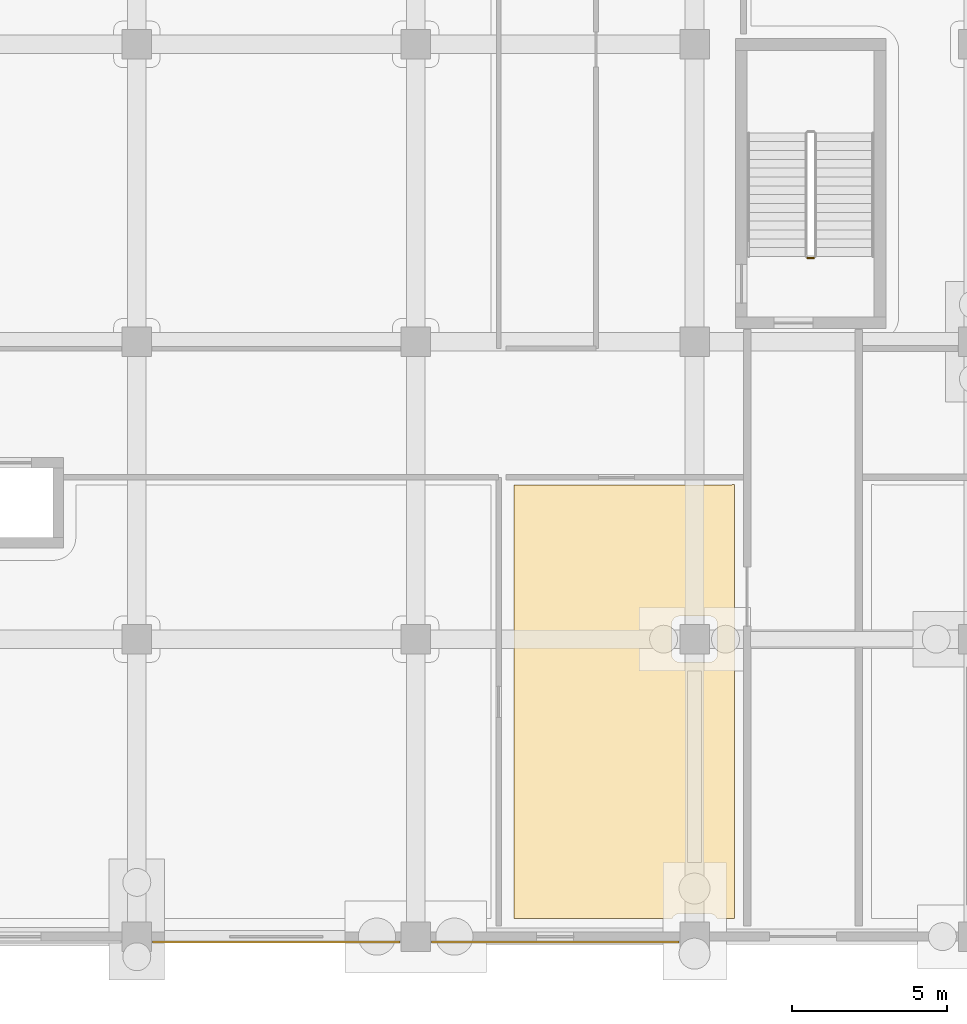
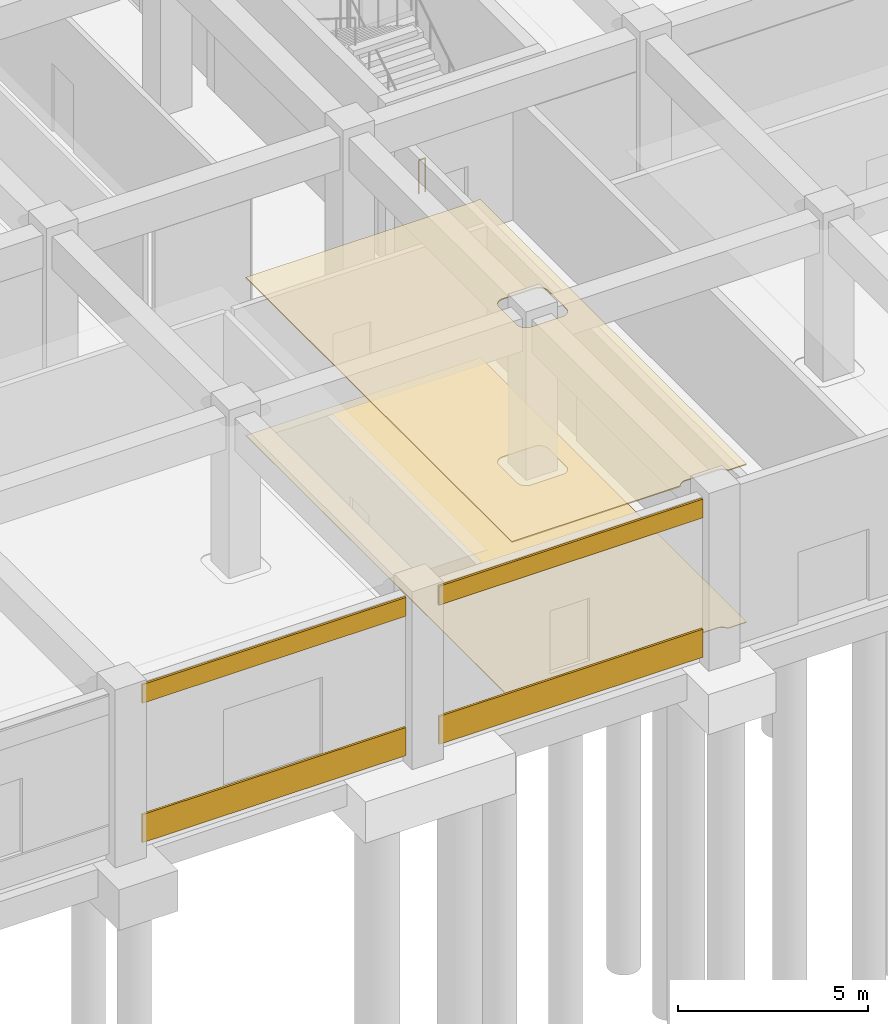
# One storey, part 58 of 74: 6 coverings, 1 railing.
"""IFC4 building model written with IfcOpenShell, lengths in metres."""

import ifcopenshell
import ifcopenshell.guid

model = None  # the IFC model being written
_history = None  # IfcOwnerHistory: only IFC2X3 demands one
_inside = {}  # id of a spatial element -> (the spatial element, [elements in it])
_under = {}  # id of a project, library or spatial element -> (it, [spatial elements below it])
_declared = {}  # id of a project -> (the project, [libraries it declares])
_typed = {}  # id of a type object -> (the type object, [elements of that type])
_made_of = {}  # id of a material, layer set ... -> (it, [elements and type objects made of it])


def new_model(schema):
    """Start an empty IFC model of exactly this schema.

    Asked for "IFC4X3", IfcOpenShell would pick the latest addendum, in which some entities
    have other attributes; the version numbers below select the first issue.
    IFC2X3 requires an IfcOwnerHistory on every rooted entity: one is made here for all.
    """
    global model, _history
    if schema == "IFC4X3":
        model = ifcopenshell.file(schema_version=(4, 3, 0, 0))
    else:
        model = ifcopenshell.file(schema=schema)
    _inside.clear()
    _under.clear()
    _declared.clear()
    _typed.clear()
    _made_of.clear()
    _history = None
    if model.schema == "IFC2X3":
        org = make("IfcOrganization", Name="unknown")
        user = make(
            "IfcPersonAndOrganization",
            ThePerson=make("IfcPerson", FamilyName="unknown"),
            TheOrganization=org,
        )
        app = make(
            "IfcApplication",
            ApplicationDeveloper=org,
            Version="unknown",
            ApplicationFullName="unknown",
            ApplicationIdentifier="unknown",
        )
        _history = make(
            "IfcOwnerHistory",
            OwningUser=user,
            OwningApplication=app,
            ChangeAction="ADDED",
            CreationDate=0,
        )
    return model


def make(cls, **values):
    """One entity of the class cls with the attributes given. An attribute that is None is left unset."""
    return model.create_entity(
        cls, **{name: value for name, value in values.items() if value is not None}
    )


def rooted(cls, **values):
    """An entity with a GlobalId (a new one), such as an element, a storey or a relation."""
    return make(cls, GlobalId=ifcopenshell.guid.new(), OwnerHistory=_history, **values)


def si_unit(unit_type, name, prefix=None):
    """IfcSIUnit, for example si_unit("LENGTHUNIT", "METRE", prefix="MILLI")."""
    return make("IfcSIUnit", UnitType=unit_type, Prefix=prefix, Name=name)


def assignment(units):
    """IfcUnitAssignment: the units of a project."""
    return None if units is None else make("IfcUnitAssignment", Units=units)


def point(xyz):
    """IfcCartesianPoint."""
    return None if xyz is None else make("IfcCartesianPoint", Coordinates=xyz)


def direction(xyz):
    """IfcDirection."""
    return None if xyz is None else make("IfcDirection", DirectionRatios=xyz)


def frame(location, z_axis=None, x_axis=None):
    """IfcAxis2Placement3D, a coordinate frame: its origin and axes. An axis left out is left unset."""
    return make(
        "IfcAxis2Placement3D",
        Location=point(location),
        Axis=direction(z_axis),
        RefDirection=direction(x_axis),
    )


def frame_2d(location, x_axis=None):
    """IfcAxis2Placement2D, a coordinate frame in the plane: its origin and x axis."""
    return make(
        "IfcAxis2Placement2D", Location=point(location), RefDirection=direction(x_axis)
    )


def origin():
    """The frame at (0, 0, 0) with its axes left unset."""
    return frame((0.0, 0.0, 0.0))


def origin_2d():
    """The frame at (0, 0) in the plane with its x axis left unset."""
    return frame_2d((0.0, 0.0))


def place(relative_to, where):
    """IfcLocalPlacement: puts the frame where relative to a parent placement (None: the world)."""
    return make(
        "IfcLocalPlacement", PlacementRelTo=relative_to, RelativePlacement=where
    )


def context(
    kind, dimensions, precision=None, world=None, true_north=None, identifier=None
):
    """IfcGeometricRepresentationContext, for example the 3D "Model" context."""
    return make(
        "IfcGeometricRepresentationContext",
        ContextIdentifier=identifier,
        ContextType=kind,
        CoordinateSpaceDimension=dimensions,
        Precision=precision,
        WorldCoordinateSystem=world,
        TrueNorth=true_north,
    )


def subcontext(parent, identifier, kind, view, scale=None):
    """IfcGeometricRepresentationSubContext, for example "Body" below "Model"."""
    return make(
        "IfcGeometricRepresentationSubContext",
        ContextIdentifier=identifier,
        ContextType=kind,
        ParentContext=parent,
        TargetScale=scale,
        TargetView=view,
    )


def project(units=None, contexts=None):
    """IfcProject with its units and contexts."""
    return rooted(
        "IfcProject",
        Name="project",
        RepresentationContexts=contexts,
        UnitsInContext=assignment(units),
    )


def spatial(cls, under=None, at=None, **own):
    """A site, building, storey or space (cls), placed at a placement, below another one or the project."""
    s = rooted(cls, ObjectPlacement=at, **own)
    if under is not None:
        _under.setdefault(under.id(), (under, []))[1].append(s)
    return s


def polyline(points):
    """IfcPolyline through the points."""
    return make("IfcPolyline", Points=[point(p) for p in points])


def profile(cls, at=None, kind="AREA", **sizes):
    """A parametric profile (cls). Its sizes go by their IFC names, for example OverallWidth=200.0."""
    return make(cls, ProfileType=kind, Position=at, **sizes)


def rectangle(**sizes):
    """IfcRectangleProfileDef."""
    return profile("IfcRectangleProfileDef", **sizes)


def circle(**sizes):
    """IfcCircleProfileDef."""
    return profile("IfcCircleProfileDef", **sizes)


def outline(outer, holes=None, kind="AREA"):
    """IfcArbitraryClosedProfileDef: a profile drawn as a closed curve; with holes, ...WithVoids."""
    if holes is None:
        return make("IfcArbitraryClosedProfileDef", ProfileType=kind, OuterCurve=outer)
    return make(
        "IfcArbitraryProfileDefWithVoids",
        ProfileType=kind,
        OuterCurve=outer,
        InnerCurves=holes,
    )


def extrude(swept, where, along, depth):
    """IfcExtrudedAreaSolid: the profile swept, set in the frame where, extruded along a direction by depth."""
    return make(
        "IfcExtrudedAreaSolid",
        SweptArea=swept,
        Position=where,
        ExtrudedDirection=direction(along),
        Depth=depth,
    )


def shape(context_of_items, identifier, shape_type, items):
    """IfcShapeRepresentation: the items that make up one representation, for example the "Body"."""
    return make(
        "IfcShapeRepresentation",
        ContextOfItems=context_of_items,
        RepresentationIdentifier=identifier,
        RepresentationType=shape_type,
        Items=items,
    )


def material(Name=None, Category=None):
    """IfcMaterial."""
    return make("IfcMaterial", Name=Name, Category=Category)


def layer(
    of_material, thickness, ventilated=None, Name=None, Category=None, Priority=None
):
    """IfcMaterialLayer: one layer of a wall or slab, of a material (None: an air gap)."""
    return make(
        "IfcMaterialLayer",
        Material=of_material,
        LayerThickness=thickness,
        IsVentilated=ventilated,
        Name=Name,
        Category=Category,
        Priority=Priority,
    )


def layer_set(layers, Name=None):
    """IfcMaterialLayerSet."""
    return make("IfcMaterialLayerSet", MaterialLayers=layers, LayerSetName=Name)


def made_of(thing, what):
    """Note that an element or type object is made of a material, layer set ...; save() writes the relation."""
    if what is not None:
        _made_of.setdefault(what.id(), (what, []))[1].append(thing)
    return thing


def type_object(cls, material=None, **own):
    """A type object (cls), such as IfcWallType, which elements share."""
    return made_of(rooted(cls, **own), material)


def element(
    cls,
    number,
    at=None,
    inside=None,
    cuts=None,
    type_object=None,
    material=None,
    context=None,
    identifier="Body",
    shape_type=None,
    held_by="IfcProductDefinitionShape",
    body=None,
    shapes=None,
    **own,
):
    """One element of the class cls, such as IfcWall. Its Tag is "e" and its number.

    at: its placement. inside: the storey or other place that contains it. cuts: it is an
    opening in that element (IfcRelVoidsElement). A single representation is given by context,
    identifier, shape_type and body (its items); several are given by shapes. held_by: the class
    of the entity that holds the representations. save() writes the other relations.
    """
    e = rooted(cls, Tag="e%d" % number, ObjectPlacement=at, **own)
    if body is not None:
        shapes = [shape(context, identifier, shape_type, body)]
    if shapes is not None:
        e.Representation = make(held_by, Representations=shapes)
    if inside is not None:
        _inside.setdefault(inside.id(), (inside, []))[1].append(e)
    if cuts is not None:
        rooted(
            "IfcRelVoidsElement", RelatingBuildingElement=cuts, RelatedOpeningElement=e
        )
    if type_object is not None:
        _typed.setdefault(type_object.id(), (type_object, []))[1].append(e)
    return made_of(e, material)


def aggregate(whole, parts):
    """IfcRelAggregates: a whole, such as a stair, and the parts it consists of."""
    return rooted("IfcRelAggregates", RelatingObject=whole, RelatedObjects=parts)


def save(model, path):
    """Write the relations noted so far, then the file.

    IfcRelAggregates (storeys below a building ...), IfcRelContainedInSpatialStructure (elements
    in a storey), IfcRelDefinesByType, IfcRelAssociatesMaterial and IfcRelDeclares: one each for
    every whole, place, type object, material and project.
    """
    for whole, parts in _under.values():
        aggregate(whole, parts)
    for where, things in _inside.values():
        rooted(
            "IfcRelContainedInSpatialStructure",
            RelatedElements=things,
            RelatingStructure=where,
        )
    for kind, things in _typed.values():
        rooted("IfcRelDefinesByType", RelatedObjects=things, RelatingType=kind)
    for what, things in _made_of.values():
        rooted("IfcRelAssociatesMaterial", RelatedObjects=things, RelatingMaterial=what)
    for by, libraries in _declared.values():
        rooted("IfcRelDeclares", RelatingContext=by, RelatedDefinitions=libraries)
    model.write(path)


model = new_model("IFC4")

# Units and contexts
model_context = context("Model", 3, precision=1e-05, world=origin(), true_north=direction((0.0, 1.0)))
body_context = subcontext(model_context, "Body", "Model", "MODEL_VIEW")
ifc_project = project(units=[si_unit("LENGTHUNIT", "METRE"), si_unit("AREAUNIT", "SQUARE_METRE"), si_unit("VOLUMEUNIT", "CUBIC_METRE"), si_unit("PLANEANGLEUNIT", "RADIAN"), si_unit("MASSUNIT", "GRAM", prefix="KILO")], contexts=[model_context])

# Site, building, storey
site_placement = place(None, origin())
site = spatial("IfcSite", under=ifc_project, at=site_placement, CompositionType="ELEMENT")
building_placement = place(site_placement, origin())
building = spatial("IfcBuilding", under=site, at=building_placement, Name="Cendralis Terraced Arcade", CompositionType="ELEMENT")
storey_placement = place(building_placement, origin())
storey = spatial("IfcBuildingStorey", under=building, at=storey_placement, Name="L00", CompositionType="ELEMENT", Elevation=0.0)

# Coverings
ifc_material_1 = material(Name="Warm Andean oak timber", Category="wood")
ifc_layer_1 = layer(ifc_material_1, 0.034912109375, Name="COV-CEIL-OAK-35")
ifc_layer_set_1 = layer_set([ifc_layer_1], Name="Warm Andean oak timber")
covering_type_1 = type_object("IfcCoveringType", Name="COV-CEIL-OAK-35", PredefinedType="CEILING", material=ifc_layer_set_1)
covering_1_placement = place(storey_placement, frame((0.0, 0.0, 5.054931640625)))
element("IfcCovering", 1, at=covering_1_placement, inside=storey, type_object=covering_type_1, Name="Acoustic Soffit Ceiling L00-043", PredefinedType="CEILING", context=body_context, shape_type="SweptSolid", body=[
    extrude(outline(polyline([(106.3701171875, 0.590087890625), (106.3701171875, 14.570068359375), (113.239990234375, 14.570068359375), (113.2431640625, 14.570068359375), (113.24609375, 14.570068359375), (113.2490234375, 14.570068359375), (113.2548828125, 14.5703125), (113.258056640625, 14.5703125), (113.260986328125, 14.570556640625), (113.263916015625, 14.570556640625), (113.32470703125, 14.573486328125), (113.330810546875, 14.573974609375), (113.3369140625, 14.574462890625), (113.343017578125, 14.574951171875), (113.3544921875, 14.576171875), (113.360595703125, 14.57666015625), (113.36669921875, 14.577392578125), (113.372802734375, 14.578369140625), (113.432861328125, 14.587158203125), (113.43896484375, 14.588134765625), (113.444580078125, 14.589111328125), (113.45068359375, 14.59033203125), (113.46240234375, 14.592529296875), (113.46826171875, 14.593994140625), (113.47412109375, 14.59521484375), (113.47998046875, 14.5966796875), (113.489990234375, 14.59912109375), (113.489990234375, 0.590087890625), (112.919189453125, 0.590087890625), (112.918701171875, 0.59130859375), (112.906982421875, 0.613037109375), (112.906005859375, 0.614501953125), (112.892333984375, 0.635009765625), (112.891357421875, 0.63671875), (112.875732421875, 0.655517578125), (112.87451171875, 0.656982421875), (112.85693359375, 0.67431640625), (112.855712890625, 0.67578125), (112.836669921875, 0.69140625), (112.8349609375, 0.6923828125), (112.814697265625, 0.7060546875), (112.81298828125, 0.70703125), (112.791259765625, 0.718505859375), (112.78955078125, 0.719482421875), (112.766845703125, 0.72900390625), (112.764892578125, 0.7294921875), (112.74169921875, 0.736572265625), (112.739501953125, 0.737060546875), (112.715576171875, 0.741943359375), (112.713623046875, 0.7421875), (112.689208984375, 0.74462890625), (112.687255859375, 0.74462890625), (112.675048828125, 0.7451171875), (111.72509765625, 0.7451171875), (111.712646484375, 0.74462890625), (111.710693359375, 0.74462890625), (111.686279296875, 0.7421875), (111.684326171875, 0.741943359375), (111.660400390625, 0.737060546875), (111.658447265625, 0.736572265625), (111.635009765625, 0.7294921875), (111.633056640625, 0.72900390625), (111.610595703125, 0.719482421875), (111.608642578125, 0.718505859375), (111.5869140625, 0.70703125), (111.58544921875, 0.7060546875), (111.56494140625, 0.6923828125), (111.5634765625, 0.69140625), (111.54443359375, 0.67578125), (111.54296875, 0.67431640625), (111.525634765625, 0.656982421875), (111.5244140625, 0.655517578125), (111.5087890625, 0.63671875), (111.507568359375, 0.635009765625), (111.493896484375, 0.614501953125), (111.492919921875, 0.613037109375), (111.4814453125, 0.59130859375), (111.480712890625, 0.590087890625), (106.3701171875, 0.590087890625)]), holes=[polyline([(111.58544921875, 8.893798828125), (111.5869140625, 8.892822265625), (111.608642578125, 8.88134765625), (111.610595703125, 8.880615234375), (111.633056640625, 8.87109375), (111.635009765625, 8.87060546875), (111.658447265625, 8.86328125), (111.660400390625, 8.86279296875), (111.684326171875, 8.858154296875), (111.686279296875, 8.85791015625), (111.710693359375, 8.85546875), (111.712646484375, 8.855224609375), (111.72509765625, 8.85498046875), (112.675048828125, 8.85498046875), (112.687255859375, 8.855224609375), (112.689208984375, 8.85546875), (112.713623046875, 8.85791015625), (112.715576171875, 8.858154296875), (112.739501953125, 8.86279296875), (112.74169921875, 8.86328125), (112.764892578125, 8.87060546875), (112.766845703125, 8.87109375), (112.78955078125, 8.880615234375), (112.791259765625, 8.88134765625), (112.81298828125, 8.892822265625), (112.814697265625, 8.893798828125), (112.8349609375, 8.90771484375), (112.836669921875, 8.90869140625), (112.855712890625, 8.92431640625), (112.85693359375, 8.925537109375), (112.87451171875, 8.943115234375), (112.875732421875, 8.9443359375), (112.891357421875, 8.96337890625), (112.892333984375, 8.965087890625), (112.906005859375, 8.9853515625), (112.906982421875, 8.987060546875), (112.918701171875, 9.0087890625), (112.91943359375, 9.010498046875), (112.928955078125, 9.033203125), (112.929443359375, 9.034912109375), (112.9365234375, 9.058349609375), (112.93701171875, 9.060302734375), (112.94189453125, 9.08447265625), (112.942138671875, 9.08642578125), (112.944580078125, 9.11083984375), (112.944580078125, 9.11279296875), (112.945068359375, 9.125), (112.945068359375, 10.074951171875), (112.944580078125, 10.08740234375), (112.944580078125, 10.089111328125), (112.942138671875, 10.113525390625), (112.94189453125, 10.115478515625), (112.93701171875, 10.1396484375), (112.9365234375, 10.1416015625), (112.929443359375, 10.1650390625), (112.928955078125, 10.1669921875), (112.91943359375, 10.189453125), (112.918701171875, 10.19140625), (112.906982421875, 10.212890625), (112.906005859375, 10.214599609375), (112.892333984375, 10.235107421875), (112.891357421875, 10.236572265625), (112.875732421875, 10.255615234375), (112.87451171875, 10.257080078125), (112.85693359375, 10.2744140625), (112.855712890625, 10.275634765625), (112.836669921875, 10.291259765625), (112.8349609375, 10.29248046875), (112.814697265625, 10.30615234375), (112.81298828125, 10.30712890625), (112.791259765625, 10.318603515625), (112.78955078125, 10.319580078125), (112.766845703125, 10.328857421875), (112.764892578125, 10.32958984375), (112.74169921875, 10.336669921875), (112.739501953125, 10.337158203125), (112.715576171875, 10.341796875), (112.713623046875, 10.34228515625), (112.689208984375, 10.344482421875), (112.687255859375, 10.3447265625), (112.675048828125, 10.344970703125), (111.72509765625, 10.344970703125), (111.712646484375, 10.3447265625), (111.710693359375, 10.344482421875), (111.686279296875, 10.34228515625), (111.684326171875, 10.341796875), (111.660400390625, 10.337158203125), (111.658447265625, 10.336669921875), (111.635009765625, 10.32958984375), (111.633056640625, 10.328857421875), (111.610595703125, 10.319580078125), (111.608642578125, 10.318603515625), (111.5869140625, 10.30712890625), (111.58544921875, 10.30615234375), (111.56494140625, 10.29248046875), (111.5634765625, 10.291259765625), (111.54443359375, 10.275634765625), (111.54296875, 10.2744140625), (111.525634765625, 10.257080078125), (111.5244140625, 10.255615234375), (111.5087890625, 10.236572265625), (111.507568359375, 10.235107421875), (111.493896484375, 10.214599609375), (111.492919921875, 10.212890625), (111.4814453125, 10.19140625), (111.48046875, 10.189453125), (111.47119140625, 10.1669921875), (111.470458984375, 10.1650390625), (111.46337890625, 10.1416015625), (111.462890625, 10.1396484375), (111.4580078125, 10.115478515625), (111.457763671875, 10.113525390625), (111.455322265625, 10.089111328125), (111.455322265625, 10.08740234375), (111.455078125, 10.074951171875), (111.455078125, 9.125), (111.455322265625, 9.11279296875), (111.455322265625, 9.11083984375), (111.457763671875, 9.08642578125), (111.4580078125, 9.08447265625), (111.462890625, 9.060302734375), (111.46337890625, 9.058349609375), (111.470458984375, 9.034912109375), (111.47119140625, 9.033203125), (111.48046875, 9.010498046875), (111.4814453125, 9.0087890625), (111.492919921875, 8.987060546875), (111.493896484375, 8.9853515625), (111.507568359375, 8.965087890625), (111.5087890625, 8.96337890625), (111.5244140625, 8.9443359375), (111.525634765625, 8.943115234375), (111.54296875, 8.925537109375), (111.54443359375, 8.92431640625), (111.5634765625, 8.90869140625), (111.56494140625, 8.90771484375), (111.58544921875, 8.893798828125)])]), origin(), (0.0, 0.0, 1.0), 0.03515625),
])
ifc_material_2 = material(Name="Precast concrete f'c 40 MPa", Category="concrete")
ifc_layer_2 = layer(ifc_material_2, 0.06494140625, Name="COV-CLAD-GRC-65")
ifc_layer_set_2 = layer_set([ifc_layer_2], Name="Precast concrete f'c 40 MPa")
covering_type_2 = type_object("IfcCoveringType", Name="COV-CLAD-GRC-65", PredefinedType="CLADDING", material=ifc_layer_set_2)
covering_2_placement = place(storey_placement, frame((107.699951171875, -0.175048828125, 0.0), z_axis=(0.0, 0.0, 1.0), x_axis=(-1.0, 0.0, 0.0)))
element("IfcCovering", 2, at=covering_2_placement, inside=storey, type_object=covering_type_2, Name="Banded Precast Stone Spandrel Cladding L00-001", PredefinedType="CLADDING", context=body_context, shape_type="SweptSolid", body=[
    extrude(rectangle(XDim=7.993896484375, YDim=0.06494140625, at=origin_2d()), origin(), (0.0, 0.0, 1.0), 0.89990234375),
])
covering_3_placement = place(storey_placement, frame((107.699951171875, -0.175048828125, 4.469970703125), z_axis=(0.0, 0.0, 1.0), x_axis=(-1.0, 0.0, 0.0)))
element("IfcCovering", 3, at=covering_3_placement, inside=storey, type_object=covering_type_2, Name="Banded Precast Stone Lintel Cladding L00-002", PredefinedType="CLADDING", context=body_context, shape_type="SweptSolid", body=[
    extrude(rectangle(XDim=7.993896484375, YDim=0.06494140625, at=origin_2d()), origin(), (0.0, 0.0, 1.0), 0.60009765625),
])
covering_4_placement = place(storey_placement, frame((98.699951171875, -0.175048828125, 0.0), z_axis=(0.0, 0.0, 1.0), x_axis=(-1.0, 0.0, 0.0)))
element("IfcCovering", 4, at=covering_4_placement, inside=storey, type_object=covering_type_2, Name="Banded Precast Stone Spandrel Cladding L00-003", PredefinedType="CLADDING", context=body_context, shape_type="SweptSolid", body=[
    extrude(rectangle(XDim=7.993896484375, YDim=0.06494140625, at=origin_2d()), origin(), (0.0, 0.0, 1.0), 0.89990234375),
])
covering_5_placement = place(storey_placement, frame((98.699951171875, -0.175048828125, 4.469970703125), z_axis=(0.0, 0.0, 1.0), x_axis=(-1.0, 0.0, 0.0)))
element("IfcCovering", 5, at=covering_5_placement, inside=storey, type_object=covering_type_2, Name="Banded Precast Stone Lintel Cladding L00-004", PredefinedType="CLADDING", context=body_context, shape_type="SweptSolid", body=[
    extrude(rectangle(XDim=7.993896484375, YDim=0.06494140625, at=origin_2d()), origin(), (0.0, 0.0, 1.0), 0.60009765625),
])
ifc_layer_3 = layer(ifc_material_1, 0.02197265625, Name="COV-FLR-OAK-22")
ifc_layer_set_3 = layer_set([ifc_layer_3], Name="Warm Andean oak timber")
covering_type_3 = type_object("IfcCoveringType", Name="COV-FLR-OAK-22", PredefinedType="FLOORING", material=ifc_layer_set_3)
covering_6_placement = place(storey_placement, origin())
element("IfcCovering", 6, at=covering_6_placement, inside=storey, type_object=covering_type_3, Name="Interior Finish Flooring L00-043", PredefinedType="FLOORING", context=body_context, shape_type="SweptSolid", body=[
    extrude(outline(polyline([(106.3701171875, 0.590087890625), (106.3701171875, 14.570068359375), (113.239990234375, 14.570068359375), (113.2431640625, 14.570068359375), (113.24609375, 14.570068359375), (113.2490234375, 14.570068359375), (113.2548828125, 14.5703125), (113.258056640625, 14.5703125), (113.260986328125, 14.570556640625), (113.263916015625, 14.570556640625), (113.32470703125, 14.573486328125), (113.330810546875, 14.573974609375), (113.3369140625, 14.574462890625), (113.343017578125, 14.574951171875), (113.3544921875, 14.576171875), (113.360595703125, 14.57666015625), (113.36669921875, 14.577392578125), (113.372802734375, 14.578369140625), (113.432861328125, 14.587158203125), (113.43896484375, 14.588134765625), (113.444580078125, 14.589111328125), (113.45068359375, 14.59033203125), (113.46240234375, 14.592529296875), (113.46826171875, 14.593994140625), (113.47412109375, 14.59521484375), (113.47998046875, 14.5966796875), (113.489990234375, 14.59912109375), (113.489990234375, 0.590087890625), (112.919189453125, 0.590087890625), (112.918701171875, 0.59130859375), (112.906982421875, 0.613037109375), (112.906005859375, 0.614501953125), (112.892333984375, 0.635009765625), (112.891357421875, 0.63671875), (112.875732421875, 0.655517578125), (112.87451171875, 0.656982421875), (112.85693359375, 0.67431640625), (112.855712890625, 0.67578125), (112.836669921875, 0.69140625), (112.8349609375, 0.6923828125), (112.814697265625, 0.7060546875), (112.81298828125, 0.70703125), (112.791259765625, 0.718505859375), (112.78955078125, 0.719482421875), (112.766845703125, 0.72900390625), (112.764892578125, 0.7294921875), (112.74169921875, 0.736572265625), (112.739501953125, 0.737060546875), (112.715576171875, 0.741943359375), (112.713623046875, 0.7421875), (112.689208984375, 0.74462890625), (112.687255859375, 0.74462890625), (112.675048828125, 0.7451171875), (111.72509765625, 0.7451171875), (111.712646484375, 0.74462890625), (111.710693359375, 0.74462890625), (111.686279296875, 0.7421875), (111.684326171875, 0.741943359375), (111.660400390625, 0.737060546875), (111.658447265625, 0.736572265625), (111.635009765625, 0.7294921875), (111.633056640625, 0.72900390625), (111.610595703125, 0.719482421875), (111.608642578125, 0.718505859375), (111.5869140625, 0.70703125), (111.58544921875, 0.7060546875), (111.56494140625, 0.6923828125), (111.5634765625, 0.69140625), (111.54443359375, 0.67578125), (111.54296875, 0.67431640625), (111.525634765625, 0.656982421875), (111.5244140625, 0.655517578125), (111.5087890625, 0.63671875), (111.507568359375, 0.635009765625), (111.493896484375, 0.614501953125), (111.492919921875, 0.613037109375), (111.4814453125, 0.59130859375), (111.480712890625, 0.590087890625), (106.3701171875, 0.590087890625)]), holes=[polyline([(111.58544921875, 8.893798828125), (111.5869140625, 8.892822265625), (111.608642578125, 8.88134765625), (111.610595703125, 8.880615234375), (111.633056640625, 8.87109375), (111.635009765625, 8.87060546875), (111.658447265625, 8.86328125), (111.660400390625, 8.86279296875), (111.684326171875, 8.858154296875), (111.686279296875, 8.85791015625), (111.710693359375, 8.85546875), (111.712646484375, 8.855224609375), (111.72509765625, 8.85498046875), (112.675048828125, 8.85498046875), (112.687255859375, 8.855224609375), (112.689208984375, 8.85546875), (112.713623046875, 8.85791015625), (112.715576171875, 8.858154296875), (112.739501953125, 8.86279296875), (112.74169921875, 8.86328125), (112.764892578125, 8.87060546875), (112.766845703125, 8.87109375), (112.78955078125, 8.880615234375), (112.791259765625, 8.88134765625), (112.81298828125, 8.892822265625), (112.814697265625, 8.893798828125), (112.8349609375, 8.90771484375), (112.836669921875, 8.90869140625), (112.855712890625, 8.92431640625), (112.85693359375, 8.925537109375), (112.87451171875, 8.943115234375), (112.875732421875, 8.9443359375), (112.891357421875, 8.96337890625), (112.892333984375, 8.965087890625), (112.906005859375, 8.9853515625), (112.906982421875, 8.987060546875), (112.918701171875, 9.0087890625), (112.91943359375, 9.010498046875), (112.928955078125, 9.033203125), (112.929443359375, 9.034912109375), (112.9365234375, 9.058349609375), (112.93701171875, 9.060302734375), (112.94189453125, 9.08447265625), (112.942138671875, 9.08642578125), (112.944580078125, 9.11083984375), (112.944580078125, 9.11279296875), (112.945068359375, 9.125), (112.945068359375, 10.074951171875), (112.944580078125, 10.08740234375), (112.944580078125, 10.089111328125), (112.942138671875, 10.113525390625), (112.94189453125, 10.115478515625), (112.93701171875, 10.1396484375), (112.9365234375, 10.1416015625), (112.929443359375, 10.1650390625), (112.928955078125, 10.1669921875), (112.91943359375, 10.189453125), (112.918701171875, 10.19140625), (112.906982421875, 10.212890625), (112.906005859375, 10.214599609375), (112.892333984375, 10.235107421875), (112.891357421875, 10.236572265625), (112.875732421875, 10.255615234375), (112.87451171875, 10.257080078125), (112.85693359375, 10.2744140625), (112.855712890625, 10.275634765625), (112.836669921875, 10.291259765625), (112.8349609375, 10.29248046875), (112.814697265625, 10.30615234375), (112.81298828125, 10.30712890625), (112.791259765625, 10.318603515625), (112.78955078125, 10.319580078125), (112.766845703125, 10.328857421875), (112.764892578125, 10.32958984375), (112.74169921875, 10.336669921875), (112.739501953125, 10.337158203125), (112.715576171875, 10.341796875), (112.713623046875, 10.34228515625), (112.689208984375, 10.344482421875), (112.687255859375, 10.3447265625), (112.675048828125, 10.344970703125), (111.72509765625, 10.344970703125), (111.712646484375, 10.3447265625), (111.710693359375, 10.344482421875), (111.686279296875, 10.34228515625), (111.684326171875, 10.341796875), (111.660400390625, 10.337158203125), (111.658447265625, 10.336669921875), (111.635009765625, 10.32958984375), (111.633056640625, 10.328857421875), (111.610595703125, 10.319580078125), (111.608642578125, 10.318603515625), (111.5869140625, 10.30712890625), (111.58544921875, 10.30615234375), (111.56494140625, 10.29248046875), (111.5634765625, 10.291259765625), (111.54443359375, 10.275634765625), (111.54296875, 10.2744140625), (111.525634765625, 10.257080078125), (111.5244140625, 10.255615234375), (111.5087890625, 10.236572265625), (111.507568359375, 10.235107421875), (111.493896484375, 10.214599609375), (111.492919921875, 10.212890625), (111.4814453125, 10.19140625), (111.48046875, 10.189453125), (111.47119140625, 10.1669921875), (111.470458984375, 10.1650390625), (111.46337890625, 10.1416015625), (111.462890625, 10.1396484375), (111.4580078125, 10.115478515625), (111.457763671875, 10.113525390625), (111.455322265625, 10.089111328125), (111.455322265625, 10.08740234375), (111.455078125, 10.074951171875), (111.455078125, 9.125), (111.455322265625, 9.11279296875), (111.455322265625, 9.11083984375), (111.457763671875, 9.08642578125), (111.4580078125, 9.08447265625), (111.462890625, 9.060302734375), (111.46337890625, 9.058349609375), (111.470458984375, 9.034912109375), (111.47119140625, 9.033203125), (111.48046875, 9.010498046875), (111.4814453125, 9.0087890625), (111.492919921875, 8.987060546875), (111.493896484375, 8.9853515625), (111.507568359375, 8.965087890625), (111.5087890625, 8.96337890625), (111.5244140625, 8.9443359375), (111.525634765625, 8.943115234375), (111.54296875, 8.925537109375), (111.54443359375, 8.92431640625), (111.5634765625, 8.90869140625), (111.56494140625, 8.90771484375), (111.58544921875, 8.893798828125)])]), origin(), (0.0, 0.0, 1.0), 0.02197265625),
])

# Railing
ifc_material_3 = material(Name="Brushed stainless steel AISI 316", Category="steel")
railing_type = type_object("IfcRailingType", Name="RL-STAIR-GUARD-1100", PredefinedType="GUARDRAIL", material=ifc_material_3)
railing_placement = place(storey_placement, frame((116.050048828125, 21.89990234375, 0.0)))
element("IfcRailing", 7, at=railing_placement, inside=storey, type_object=railing_type, Name="L00 ST-09 stair guard 4", PredefinedType="GUARDRAIL", context=body_context, shape_type="SweptSolid", body=[
    extrude(circle(Radius=0.02392578125, at=origin_2d()), frame((0.0, 0.0, 1.076171875), z_axis=(-1.0, 0.0, 0.0), x_axis=(0.0, -1.0, 0.0)), (0.0, 0.0, 1.0), 0.199951171875),
    extrude(circle(Radius=0.02099609375, at=origin_2d()), origin(), (0.0, 0.0, 1.0), 1.052001953125),
    extrude(circle(Radius=0.02099609375, at=origin_2d()), frame((-0.199951171875, 0.0, 0.0)), (0.0, 0.0, 1.0), 1.052001953125),
])

save(model, "model.ifc")
